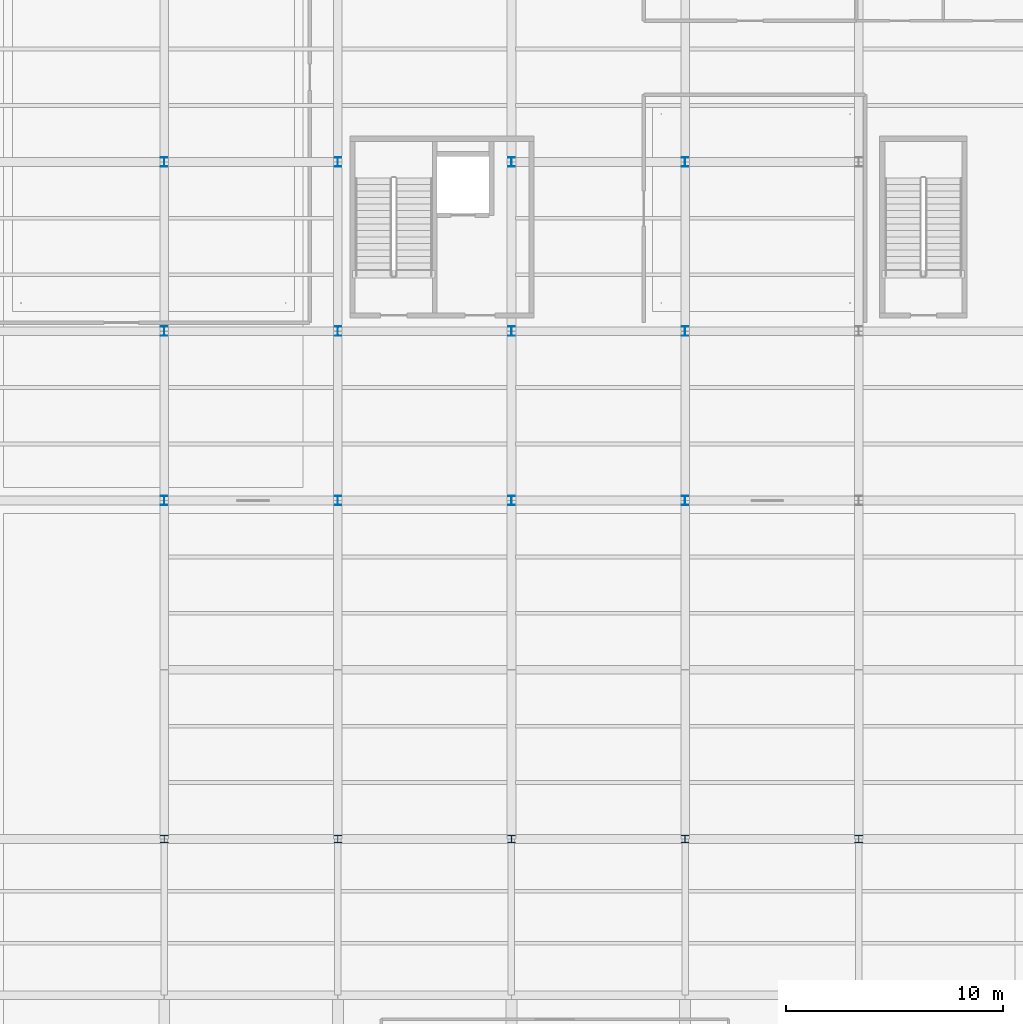
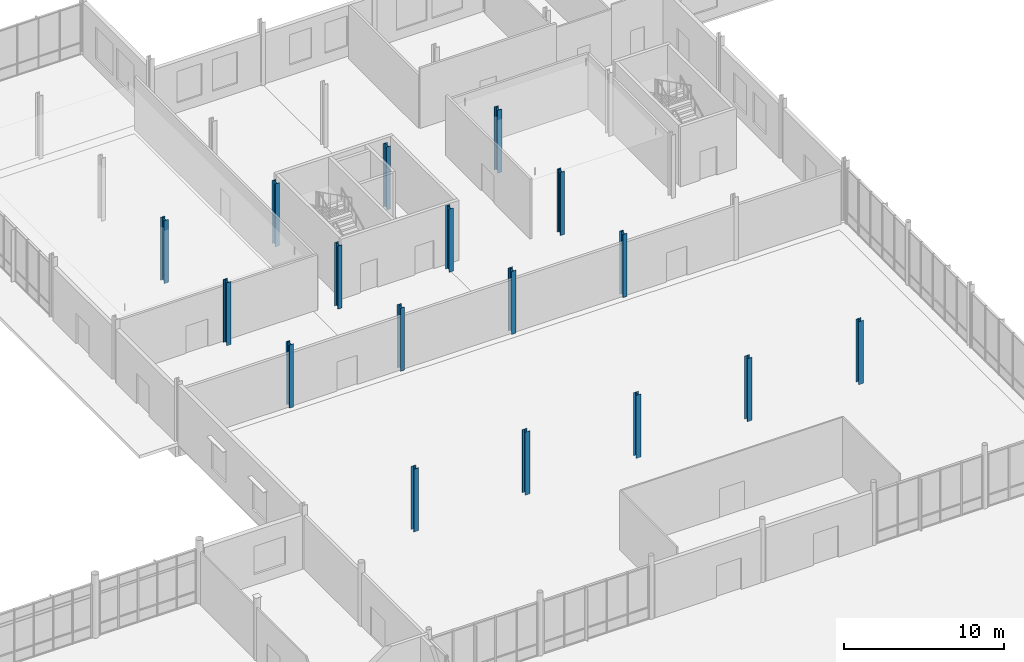
# One storey, part 6 of 82: 17 columns.
"""IFC4 building model written with IfcOpenShell, lengths in metres."""

import ifcopenshell
import ifcopenshell.guid

model = None  # the IFC model being written
_history = None  # IfcOwnerHistory: only IFC2X3 demands one
_inside = {}  # id of a spatial element -> (the spatial element, [elements in it])
_under = {}  # id of a project, library or spatial element -> (it, [spatial elements below it])
_declared = {}  # id of a project -> (the project, [libraries it declares])
_typed = {}  # id of a type object -> (the type object, [elements of that type])
_made_of = {}  # id of a material, layer set ... -> (it, [elements and type objects made of it])


def new_model(schema):
    """Start an empty IFC model of exactly this schema.

    Asked for "IFC4X3", IfcOpenShell would pick the latest addendum, in which some entities
    have other attributes; the version numbers below select the first issue.
    IFC2X3 requires an IfcOwnerHistory on every rooted entity: one is made here for all.
    """
    global model, _history
    if schema == "IFC4X3":
        model = ifcopenshell.file(schema_version=(4, 3, 0, 0))
    else:
        model = ifcopenshell.file(schema=schema)
    _inside.clear()
    _under.clear()
    _declared.clear()
    _typed.clear()
    _made_of.clear()
    _history = None
    if model.schema == "IFC2X3":
        org = make("IfcOrganization", Name="unknown")
        user = make(
            "IfcPersonAndOrganization",
            ThePerson=make("IfcPerson", FamilyName="unknown"),
            TheOrganization=org,
        )
        app = make(
            "IfcApplication",
            ApplicationDeveloper=org,
            Version="unknown",
            ApplicationFullName="unknown",
            ApplicationIdentifier="unknown",
        )
        _history = make(
            "IfcOwnerHistory",
            OwningUser=user,
            OwningApplication=app,
            ChangeAction="ADDED",
            CreationDate=0,
        )
    return model


def make(cls, **values):
    """One entity of the class cls with the attributes given. An attribute that is None is left unset."""
    return model.create_entity(
        cls, **{name: value for name, value in values.items() if value is not None}
    )


def rooted(cls, **values):
    """An entity with a GlobalId (a new one), such as an element, a storey or a relation."""
    return make(cls, GlobalId=ifcopenshell.guid.new(), OwnerHistory=_history, **values)


def si_unit(unit_type, name, prefix=None):
    """IfcSIUnit, for example si_unit("LENGTHUNIT", "METRE", prefix="MILLI")."""
    return make("IfcSIUnit", UnitType=unit_type, Prefix=prefix, Name=name)


def assignment(units):
    """IfcUnitAssignment: the units of a project."""
    return None if units is None else make("IfcUnitAssignment", Units=units)


def point(xyz):
    """IfcCartesianPoint."""
    return None if xyz is None else make("IfcCartesianPoint", Coordinates=xyz)


def direction(xyz):
    """IfcDirection."""
    return None if xyz is None else make("IfcDirection", DirectionRatios=xyz)


def frame(location, z_axis=None, x_axis=None):
    """IfcAxis2Placement3D, a coordinate frame: its origin and axes. An axis left out is left unset."""
    return make(
        "IfcAxis2Placement3D",
        Location=point(location),
        Axis=direction(z_axis),
        RefDirection=direction(x_axis),
    )


def frame_2d(location, x_axis=None):
    """IfcAxis2Placement2D, a coordinate frame in the plane: its origin and x axis."""
    return make(
        "IfcAxis2Placement2D", Location=point(location), RefDirection=direction(x_axis)
    )


def origin():
    """The frame at (0, 0, 0) with its axes left unset."""
    return frame((0.0, 0.0, 0.0))


def origin_2d():
    """The frame at (0, 0) in the plane with its x axis left unset."""
    return frame_2d((0.0, 0.0))


def place(relative_to, where):
    """IfcLocalPlacement: puts the frame where relative to a parent placement (None: the world)."""
    return make(
        "IfcLocalPlacement", PlacementRelTo=relative_to, RelativePlacement=where
    )


def context(
    kind, dimensions, precision=None, world=None, true_north=None, identifier=None
):
    """IfcGeometricRepresentationContext, for example the 3D "Model" context."""
    return make(
        "IfcGeometricRepresentationContext",
        ContextIdentifier=identifier,
        ContextType=kind,
        CoordinateSpaceDimension=dimensions,
        Precision=precision,
        WorldCoordinateSystem=world,
        TrueNorth=true_north,
    )


def subcontext(parent, identifier, kind, view, scale=None):
    """IfcGeometricRepresentationSubContext, for example "Body" below "Model"."""
    return make(
        "IfcGeometricRepresentationSubContext",
        ContextIdentifier=identifier,
        ContextType=kind,
        ParentContext=parent,
        TargetScale=scale,
        TargetView=view,
    )


def project(units=None, contexts=None):
    """IfcProject with its units and contexts."""
    return rooted(
        "IfcProject",
        Name="project",
        RepresentationContexts=contexts,
        UnitsInContext=assignment(units),
    )


def spatial(cls, under=None, at=None, **own):
    """A site, building, storey or space (cls), placed at a placement, below another one or the project."""
    s = rooted(cls, ObjectPlacement=at, **own)
    if under is not None:
        _under.setdefault(under.id(), (under, []))[1].append(s)
    return s


def profile(cls, at=None, kind="AREA", **sizes):
    """A parametric profile (cls). Its sizes go by their IFC names, for example OverallWidth=200.0."""
    return make(cls, ProfileType=kind, Position=at, **sizes)


def i_section(**sizes):
    """IfcIShapeProfileDef."""
    return profile("IfcIShapeProfileDef", **sizes)


def extrude(swept, where, along, depth):
    """IfcExtrudedAreaSolid: the profile swept, set in the frame where, extruded along a direction by depth."""
    return make(
        "IfcExtrudedAreaSolid",
        SweptArea=swept,
        Position=where,
        ExtrudedDirection=direction(along),
        Depth=depth,
    )


def shape(context_of_items, identifier, shape_type, items):
    """IfcShapeRepresentation: the items that make up one representation, for example the "Body"."""
    return make(
        "IfcShapeRepresentation",
        ContextOfItems=context_of_items,
        RepresentationIdentifier=identifier,
        RepresentationType=shape_type,
        Items=items,
    )


def material(Name=None, Category=None):
    """IfcMaterial."""
    return make("IfcMaterial", Name=Name, Category=Category)


def material_profile(
    of_material, cross_section, Name=None, Category=None, Priority=None
):
    """IfcMaterialProfile: a cross section and its material."""
    return make(
        "IfcMaterialProfile",
        Name=Name,
        Material=of_material,
        Profile=cross_section,
        Priority=Priority,
        Category=Category,
    )


def profile_set(profiles, Name=None, composite=None):
    """IfcMaterialProfileSet."""
    return make(
        "IfcMaterialProfileSet",
        Name=Name,
        MaterialProfiles=profiles,
        CompositeProfile=composite,
    )


def made_of(thing, what):
    """Note that an element or type object is made of a material, layer set ...; save() writes the relation."""
    if what is not None:
        _made_of.setdefault(what.id(), (what, []))[1].append(thing)
    return thing


def type_object(cls, material=None, **own):
    """A type object (cls), such as IfcWallType, which elements share."""
    return made_of(rooted(cls, **own), material)


def element(
    cls,
    number,
    at=None,
    inside=None,
    cuts=None,
    type_object=None,
    material=None,
    context=None,
    identifier="Body",
    shape_type=None,
    held_by="IfcProductDefinitionShape",
    body=None,
    shapes=None,
    **own,
):
    """One element of the class cls, such as IfcWall. Its Tag is "e" and its number.

    at: its placement. inside: the storey or other place that contains it. cuts: it is an
    opening in that element (IfcRelVoidsElement). A single representation is given by context,
    identifier, shape_type and body (its items); several are given by shapes. held_by: the class
    of the entity that holds the representations. save() writes the other relations.
    """
    e = rooted(cls, Tag="e%d" % number, ObjectPlacement=at, **own)
    if body is not None:
        shapes = [shape(context, identifier, shape_type, body)]
    if shapes is not None:
        e.Representation = make(held_by, Representations=shapes)
    if inside is not None:
        _inside.setdefault(inside.id(), (inside, []))[1].append(e)
    if cuts is not None:
        rooted(
            "IfcRelVoidsElement", RelatingBuildingElement=cuts, RelatedOpeningElement=e
        )
    if type_object is not None:
        _typed.setdefault(type_object.id(), (type_object, []))[1].append(e)
    return made_of(e, material)


def aggregate(whole, parts):
    """IfcRelAggregates: a whole, such as a stair, and the parts it consists of."""
    return rooted("IfcRelAggregates", RelatingObject=whole, RelatedObjects=parts)


def save(model, path):
    """Write the relations noted so far, then the file.

    IfcRelAggregates (storeys below a building ...), IfcRelContainedInSpatialStructure (elements
    in a storey), IfcRelDefinesByType, IfcRelAssociatesMaterial and IfcRelDeclares: one each for
    every whole, place, type object, material and project.
    """
    for whole, parts in _under.values():
        aggregate(whole, parts)
    for where, things in _inside.values():
        rooted(
            "IfcRelContainedInSpatialStructure",
            RelatedElements=things,
            RelatingStructure=where,
        )
    for kind, things in _typed.values():
        rooted("IfcRelDefinesByType", RelatedObjects=things, RelatingType=kind)
    for what, things in _made_of.values():
        rooted("IfcRelAssociatesMaterial", RelatedObjects=things, RelatingMaterial=what)
    for by, libraries in _declared.values():
        rooted("IfcRelDeclares", RelatingContext=by, RelatedDefinitions=libraries)
    model.write(path)


model = new_model("IFC4")

# Units and contexts
model_context = context("Model", 3, precision=1e-05, world=origin(), true_north=direction((0.0, 1.0)))
body_context = subcontext(model_context, "Body", "Model", "MODEL_VIEW")
ifc_project = project(units=[si_unit("LENGTHUNIT", "METRE"), si_unit("AREAUNIT", "SQUARE_METRE"), si_unit("VOLUMEUNIT", "CUBIC_METRE"), si_unit("PLANEANGLEUNIT", "RADIAN"), si_unit("MASSUNIT", "GRAM", prefix="KILO")], contexts=[model_context])

# Site, building, storey
site_placement = place(None, origin())
site = spatial("IfcSite", under=ifc_project, at=site_placement, CompositionType="ELEMENT")
building_placement = place(site_placement, origin())
building = spatial("IfcBuilding", under=site, at=building_placement, Name="Yukiwa Park Conservatory and Herbarium", CompositionType="ELEMENT")
storey_placement = place(building_placement, origin())
storey = spatial("IfcBuildingStorey", under=building, at=storey_placement, Name="L00", CompositionType="ELEMENT", Elevation=0.0)

# Columns
ifc_material_1 = material(Name="Steel Q355D", Category="steel")
ifc_material_profile_1 = material_profile(ifc_material_1, i_section(OverallWidth=0.35009765625, OverallDepth=0.35009765625, WebThickness=0.011962890625, FlangeThickness=0.01904296875, FilletRadius=0.02001953125, at=origin_2d()), Name="HW 350x350x12x19")
ifc_profile_set_1 = profile_set([ifc_material_profile_1], Name="Steel Q355D")
column_type_1 = type_object("IfcColumnType", Name="COL-TW-HW350", PredefinedType="COLUMN", material=ifc_profile_set_1)
for number, where, z_axis, x_axis, name in (
    (1, (68.0, 31.199951171875, 0.0), (0.0, 0.0, 1.0), (1.0, 0.0, 0.0), "L00 column V2-X680-Y312"),
    (2, (76.0, 31.199951171875, 0.0), (0.0, 0.0, 1.0), (1.0, 0.0, 0.0), "L00 column V2-X760-Y312"),
    (3, (84.0, 31.199951171875, 0.0), (0.0, 0.0, 1.0), (1.0, 0.0, 0.0), "L00 column V2-X840-Y312"),
    (4, (92.0, 31.199951171875, 0.0), (0.0, 0.0, 1.0), (1.0, 0.0, 0.0), "L00 column V2-X920-Y312"),
    (5, (100.0, 31.199951171875, 0.0), (0.0, 0.0, 1.0), (1.0, 0.0, 0.0), "L00 column V2-X1000-Y312"),
):
    element("IfcColumn", number, at=place(storey_placement, frame(where, z_axis=z_axis, x_axis=x_axis)), inside=storey, type_object=column_type_1, Name=name, PredefinedType="COLUMN", context=body_context, shape_type="SweptSolid", body=[
        extrude(i_section(OverallWidth=0.35009765625, OverallDepth=0.35009765625, WebThickness=0.011962890625, FlangeThickness=0.01904296875, FilletRadius=0.02001953125, at=origin_2d()), origin(), (0.0, 0.0, 1.0), 4.800048828125),
    ])
ifc_material_2 = material(Name="Steel Q355D", Category="steel")
ifc_material_profile_2 = material_profile(ifc_material_2, i_section(OverallWidth=0.300048828125, OverallDepth=0.43994140625, WebThickness=0.010986328125, FlangeThickness=0.01806640625, FilletRadius=0.02392578125, at=origin_2d()), Name="HM 440x300x11x18")
ifc_profile_set_2 = profile_set([ifc_material_profile_2], Name="Steel Q355D")
column_type_2 = type_object("IfcColumnType", Name="COL-VS-HM440", PredefinedType="COLUMN", material=ifc_profile_set_2)
for number, where, z_axis, x_axis, name in (
    (6, (68.0, 46.800048828125, 0.0), (0.0, 0.0, 1.0), (1.0, 0.0, 0.0), "L00 column V3-X680-Y468"),
    (7, (68.0, 54.60009765625, 0.0), (0.0, 0.0, 1.0), (1.0, 0.0, 0.0), "L00 column V3-X680-Y546"),
    (8, (68.0, 62.39990234375, 0.0), (0.0, 0.0, 1.0), (1.0, 0.0, 0.0), "L00 column V3-X680-Y624"),
    (9, (76.0, 46.800048828125, 0.0), (0.0, 0.0, 1.0), (1.0, 0.0, 0.0), "L00 column V3-X760-Y468"),
    (10, (76.0, 54.60009765625, 0.0), (0.0, 0.0, 1.0), (1.0, 0.0, 0.0), "L00 column V3-X760-Y546"),
    (11, (76.0, 62.39990234375, 0.0), (0.0, 0.0, 1.0), (1.0, 0.0, 0.0), "L00 column V3-X760-Y624"),
    (12, (84.0, 46.800048828125, 0.0), (0.0, 0.0, 1.0), (1.0, 0.0, 0.0), "L00 column V3-X840-Y468"),
    (13, (84.0, 54.60009765625, 0.0), (0.0, 0.0, 1.0), (1.0, 0.0, 0.0), "L00 column V3-X840-Y546"),
    (14, (84.0, 62.39990234375, 0.0), (0.0, 0.0, 1.0), (1.0, 0.0, 0.0), "L00 column V3-X840-Y624"),
    (15, (92.0, 46.800048828125, 0.0), (0.0, 0.0, 1.0), (1.0, 0.0, 0.0), "L00 column V3-X920-Y468"),
    (16, (92.0, 54.60009765625, 0.0), (0.0, 0.0, 1.0), (1.0, 0.0, 0.0), "L00 column V3-X920-Y546"),
    (17, (92.0, 62.39990234375, 0.0), (0.0, 0.0, 1.0), (1.0, 0.0, 0.0), "L00 column V3-X920-Y624"),
):
    element("IfcColumn", number, at=place(storey_placement, frame(where, z_axis=z_axis, x_axis=x_axis)), inside=storey, type_object=column_type_2, Name=name, PredefinedType="COLUMN", context=body_context, shape_type="SweptSolid", body=[
        extrude(i_section(OverallWidth=0.300048828125, OverallDepth=0.43994140625, WebThickness=0.010986328125, FlangeThickness=0.01806640625, FilletRadius=0.02392578125, at=origin_2d()), origin(), (0.0, 0.0, 1.0), 4.800048828125),
    ])

save(model, "model.ifc")
